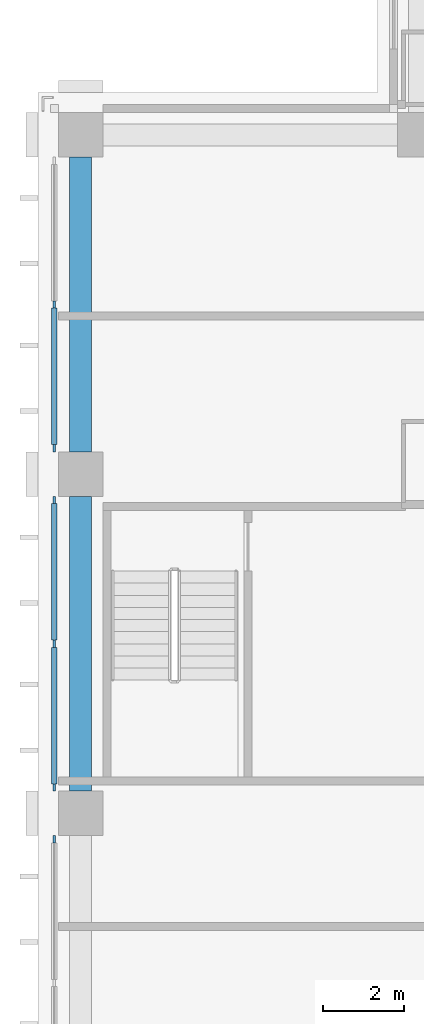
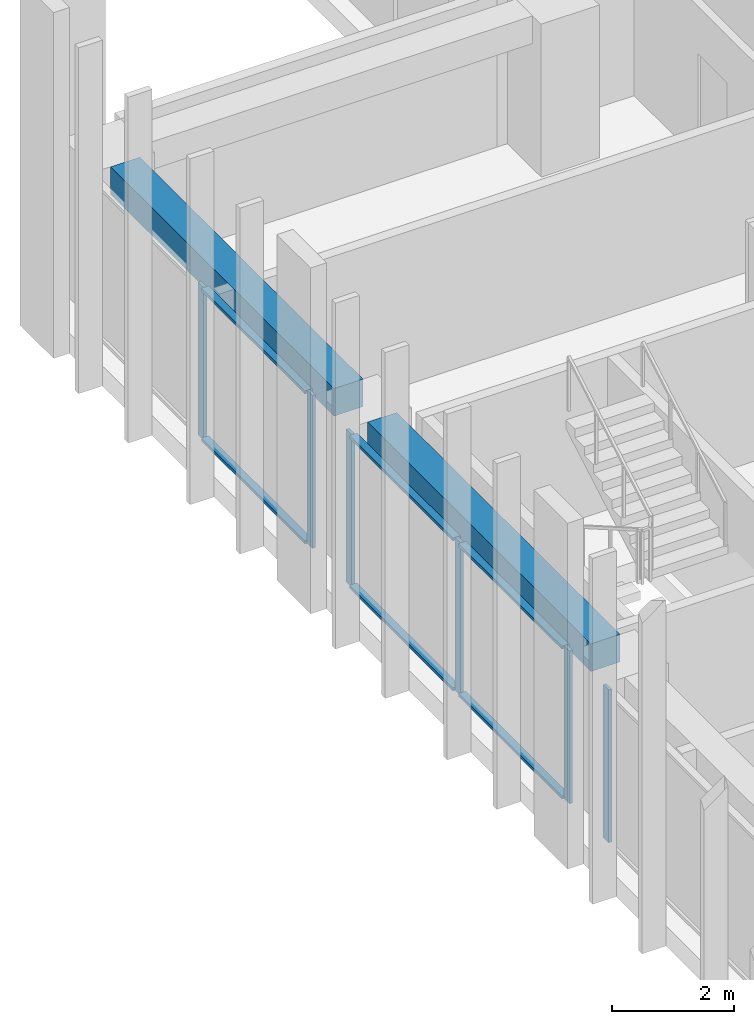
# One storey, part 4 of 16: 12 members, 2 beams, 3 elements without a shape of their own.
"""IFC4 building model written with IfcOpenShell, lengths in metres."""

from ifc_helpers import new_model, si_unit, direction, frame, origin, origin_2d, place, context, subcontext, project, spatial, rectangle, extrude, material, material_profile, profile_set, type_object, element, aggregate, save


model = new_model("IFC4")

# Units and contexts
model_context = context("Model", 3, precision=1e-05, world=origin(), true_north=direction((0.0, 1.0)))
body_context = subcontext(model_context, "Body", "Model", "MODEL_VIEW")
ifc_project = project(units=[si_unit("LENGTHUNIT", "METRE"), si_unit("AREAUNIT", "SQUARE_METRE"), si_unit("VOLUMEUNIT", "CUBIC_METRE"), si_unit("PLANEANGLEUNIT", "RADIAN"), si_unit("MASSUNIT", "GRAM", prefix="KILO")], contexts=[model_context])

# Site, building, storey
site_placement = place(None, origin())
site = spatial("IfcSite", under=ifc_project, at=site_placement, CompositionType="ELEMENT")
building_placement = place(site_placement, origin())
building = spatial("IfcBuilding", under=site, at=building_placement, Name="Vermilion Ogive Tower", CompositionType="ELEMENT")
storey_placement = place(building_placement, frame((0.0, 0.0, 143.449951171875)))
storey = spatial("IfcBuildingStorey", under=building, at=storey_placement, Name="L36", CompositionType="ELEMENT", Elevation=143.449951171875)

# Curtain wall, members
ifc_material_1 = material(Name="Low-iron laminated glazing in aluminium frame", Category="aluminium")
curtain_wall_type = type_object("IfcCurtainWallType", Name="Curtain wall CW7", PredefinedType="NOTDEFINED", material=ifc_material_1)
curtain_wall_1_placement = place(storey_placement, origin())
curtain_wall_1 = element("IfcCurtainWall", 1, at=curtain_wall_1_placement, inside=storey, type_object=curtain_wall_type, Name="Glazed skin W1", PredefinedType="NOTDEFINED")
ifc_material_2 = material(Name="Aluminium mullion", Category="aluminium")
ifc_material_profile_1 = material_profile(ifc_material_2, rectangle(XDim=0.06005859375, YDim=0.179931640625, at=origin_2d()), Name="AL 60x180")
ifc_profile_set_1 = profile_set([ifc_material_profile_1], Name="Aluminium mullion")
member_type_1 = type_object("IfcMemberType", Name="CW7 mullion 60x180", PredefinedType="MULLION", material=ifc_profile_set_1)
member_1_placement = place(storey_placement, frame((-21.64990234375, 8.39990234375, 0.0), z_axis=(0.0, 0.0, 1.0), x_axis=(1.0, 0.0, 0.0)))
member_1 = element("IfcMember", 2, at=member_1_placement, type_object=member_type_1, Name="CW7-W1 mullion 2", PredefinedType="MULLION", context=body_context, shape_type="SweptSolid", body=[
    extrude(rectangle(XDim=0.06005859375, YDim=0.179931640625, at=origin_2d()), origin(), (0.0, 0.0, 1.0), 3.050048828125),
])
member_2_placement = place(storey_placement, frame((-21.64990234375, 4.840087890625, 0.0), z_axis=(0.0, 0.0, 1.0), x_axis=(1.0, 0.0, 0.0)))
member_2 = element("IfcMember", 3, at=member_2_placement, type_object=member_type_1, Name="CW7-W1 mullion 3", PredefinedType="MULLION", context=body_context, shape_type="SweptSolid", body=[
    extrude(rectangle(XDim=0.06005859375, YDim=0.179931640625, at=origin_2d()), origin(), (0.0, 0.0, 1.0), 3.050048828125),
])

curtain_wall_2_placement = place(storey_placement, origin())
curtain_wall_2 = element("IfcCurtainWall", 4, at=curtain_wall_2_placement, inside=storey, type_object=curtain_wall_type, Name="Glazed skin W2", PredefinedType="NOTDEFINED")
member_3_placement = place(storey_placement, frame((-21.64990234375, 3.56005859375, 0.0), z_axis=(0.0, 0.0, 1.0), x_axis=(1.0, 0.0, 0.0)))
member_3 = element("IfcMember", 5, at=member_3_placement, type_object=member_type_1, Name="CW7-W2 mullion 1", PredefinedType="MULLION", context=body_context, shape_type="SweptSolid", body=[
    extrude(rectangle(XDim=0.06005859375, YDim=0.179931640625, at=origin_2d()), origin(), (0.0, 0.0, 1.0), 3.050048828125),
])
member_4_placement = place(storey_placement, frame((-21.64990234375, 0.0, 0.0), z_axis=(0.0, 0.0, 1.0), x_axis=(1.0, 0.0, 0.0)))
member_4 = element("IfcMember", 6, at=member_4_placement, type_object=member_type_1, Name="CW7-W2 mullion 2", PredefinedType="MULLION", context=body_context, shape_type="SweptSolid", body=[
    extrude(rectangle(XDim=0.06005859375, YDim=0.179931640625, at=origin_2d()), origin(), (0.0, 0.0, 1.0), 3.050048828125),
])
member_5_placement = place(storey_placement, frame((-21.64990234375, -3.56005859375, 0.0), z_axis=(0.0, 0.0, 1.0), x_axis=(1.0, 0.0, 0.0)))
member_5 = element("IfcMember", 7, at=member_5_placement, type_object=member_type_1, Name="CW7-W2 mullion 3", PredefinedType="MULLION", context=body_context, shape_type="SweptSolid", body=[
    extrude(rectangle(XDim=0.06005859375, YDim=0.179931640625, at=origin_2d()), origin(), (0.0, 0.0, 1.0), 3.050048828125),
])

# Curtain wall, member
curtain_wall_3_placement = place(storey_placement, origin())
curtain_wall_3 = element("IfcCurtainWall", 8, at=curtain_wall_3_placement, inside=storey, type_object=curtain_wall_type, Name="Glazed skin W3", PredefinedType="NOTDEFINED")
member_6_placement = place(storey_placement, frame((-21.64990234375, -4.840087890625, 0.0), z_axis=(0.0, 0.0, 1.0), x_axis=(1.0, 0.0, 0.0)))
member_6 = element("IfcMember", 9, at=member_6_placement, type_object=member_type_1, Name="CW7-W3 mullion 1", PredefinedType="MULLION", context=body_context, shape_type="SweptSolid", body=[
    extrude(rectangle(XDim=0.06005859375, YDim=0.179931640625, at=origin_2d()), origin(), (0.0, 0.0, 1.0), 3.050048828125),
])
aggregate(curtain_wall_3, [member_6])

# Member
ifc_material_3 = material(Name="Aluminium transom", Category="aluminium")
ifc_material_profile_2 = material_profile(ifc_material_3, rectangle(XDim=0.139892578125, YDim=0.06005859375, at=origin_2d()), Name="AL 60x140")
ifc_profile_set_2 = profile_set([ifc_material_profile_2], Name="Aluminium transom")
member_type_2 = type_object("IfcMemberType", Name="CW7 transom 60x140", PredefinedType="USERDEFINED", material=ifc_profile_set_2)
member_7_placement = place(storey_placement, frame((-21.64990234375, 8.31005859375, 0.030029296875), z_axis=(0.0, -1.0, 0.0), x_axis=(1.0, 0.0, 0.0)))
member_7 = element("IfcMember", 10, at=member_7_placement, type_object=member_type_2, Name="CW7-W1 transom 2.1", ObjectType="TRANSOM", PredefinedType="USERDEFINED", context=body_context, shape_type="SweptSolid", body=[
    extrude(rectangle(XDim=0.139892578125, YDim=0.06005859375, at=origin_2d()), origin(), (0.0, 0.0, 1.0), 3.380126953125),
])

member_8_placement = place(storey_placement, frame((-21.64990234375, 8.31005859375, 3.02001953125), z_axis=(0.0, -1.0, 0.0), x_axis=(1.0, 0.0, 0.0)))
member_8 = element("IfcMember", 11, at=member_8_placement, type_object=member_type_2, Name="CW7-W1 transom 2.2", ObjectType="TRANSOM", PredefinedType="USERDEFINED", context=body_context, shape_type="SweptSolid", body=[
    extrude(rectangle(XDim=0.139892578125, YDim=0.06005859375, at=origin_2d()), origin(), (0.0, 0.0, 1.0), 3.380126953125),
])

aggregate(curtain_wall_1, [member_1, member_2, member_7, member_8])

member_9_placement = place(storey_placement, frame((-21.64990234375, 3.469970703125, 0.030029296875), z_axis=(0.0, -1.0, 0.0), x_axis=(1.0, 0.0, 0.0)))
member_9 = element("IfcMember", 12, at=member_9_placement, type_object=member_type_2, Name="CW7-W2 transom 1.1", ObjectType="TRANSOM", PredefinedType="USERDEFINED", context=body_context, shape_type="SweptSolid", body=[
    extrude(rectangle(XDim=0.139892578125, YDim=0.06005859375, at=origin_2d()), origin(), (0.0, 0.0, 1.0), 3.3798828125),
])

member_10_placement = place(storey_placement, frame((-21.64990234375, 3.469970703125, 3.02001953125), z_axis=(0.0, -1.0, 0.0), x_axis=(1.0, 0.0, 0.0)))
member_10 = element("IfcMember", 13, at=member_10_placement, type_object=member_type_2, Name="CW7-W2 transom 1.2", ObjectType="TRANSOM", PredefinedType="USERDEFINED", context=body_context, shape_type="SweptSolid", body=[
    extrude(rectangle(XDim=0.139892578125, YDim=0.06005859375, at=origin_2d()), origin(), (0.0, 0.0, 1.0), 3.3798828125),
])

member_11_placement = place(storey_placement, frame((-21.64990234375, -0.090087890625, 0.030029296875), z_axis=(0.0, -1.0, 0.0), x_axis=(1.0, 0.0, 0.0)))
member_11 = element("IfcMember", 14, at=member_11_placement, type_object=member_type_2, Name="CW7-W2 transom 2.1", ObjectType="TRANSOM", PredefinedType="USERDEFINED", context=body_context, shape_type="SweptSolid", body=[
    extrude(rectangle(XDim=0.139892578125, YDim=0.06005859375, at=origin_2d()), origin(), (0.0, 0.0, 1.0), 3.3798828125),
])

member_12_placement = place(storey_placement, frame((-21.64990234375, -0.090087890625, 3.02001953125), z_axis=(0.0, -1.0, 0.0), x_axis=(1.0, 0.0, 0.0)))
member_12 = element("IfcMember", 15, at=member_12_placement, type_object=member_type_2, Name="CW7-W2 transom 2.2", ObjectType="TRANSOM", PredefinedType="USERDEFINED", context=body_context, shape_type="SweptSolid", body=[
    extrude(rectangle(XDim=0.139892578125, YDim=0.06005859375, at=origin_2d()), origin(), (0.0, 0.0, 1.0), 3.3798828125),
])

aggregate(curtain_wall_2, [member_3, member_4, member_5, member_9, member_10, member_11, member_12])

# Beams
ifc_material_4 = material(Name="Concrete B45", Category="concrete")
ifc_material_profile_3 = material_profile(ifc_material_4, rectangle(XDim=0.550048828125, YDim=0.550048828125, at=origin_2d()), Name="550 x 550")
ifc_profile_set_3 = profile_set([ifc_material_profile_3], Name="Concrete B45")
beam_type = type_object("IfcBeamType", Name="Edge beam 550 x 550 B45", PredefinedType="BEAM", material=ifc_profile_set_3)
beam_1_placement = place(storey_placement, frame((-21.0, 12.050048828125, 2.775146484375), z_axis=(0.0, -1.0, 0.0), x_axis=(1.0, 0.0, 0.0)))
element("IfcBeam", 16, at=beam_1_placement, inside=storey, type_object=beam_type, Name="L36-EB-13", PredefinedType="BEAM", context=body_context, shape_type="SweptSolid", body=[
    extrude(rectangle(XDim=0.550048828125, YDim=0.550048828125, at=origin_2d()), origin(), (0.0, 0.0, 1.0), 7.300048828125),
])
beam_2_placement = place(storey_placement, frame((-21.0, 3.64990234375, 2.775146484375), z_axis=(0.0, -1.0, 0.0), x_axis=(1.0, 0.0, 0.0)))
element("IfcBeam", 17, at=beam_2_placement, inside=storey, type_object=beam_type, Name="L36-EB-14", PredefinedType="BEAM", context=body_context, shape_type="SweptSolid", body=[
    extrude(rectangle(XDim=0.550048828125, YDim=0.550048828125, at=origin_2d()), origin(), (0.0, 0.0, 1.0), 7.2998046875),
])

save(model, "model.ifc")
